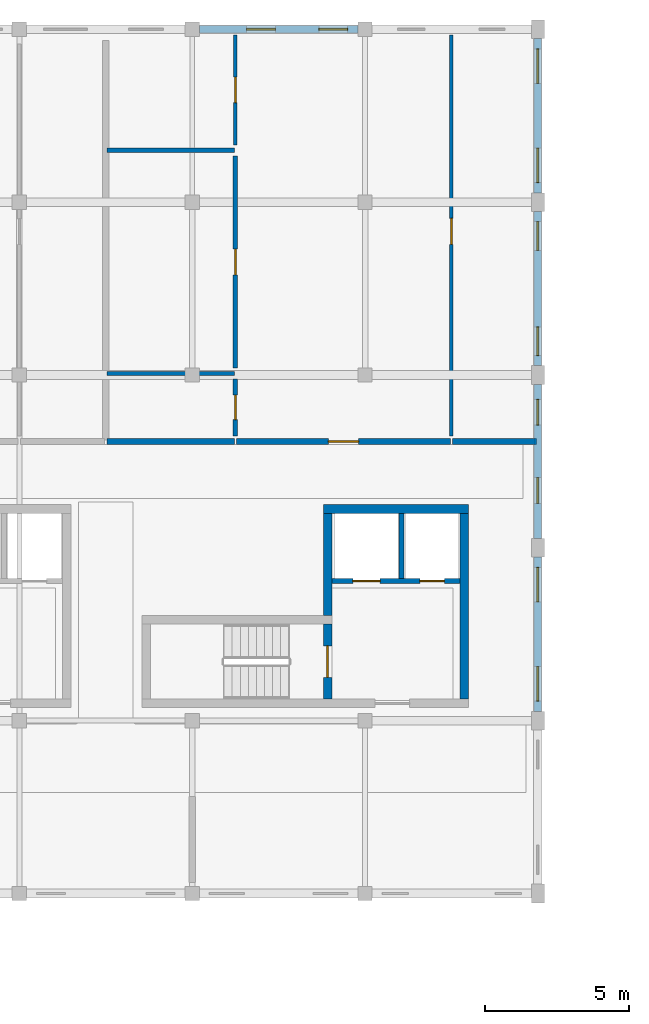
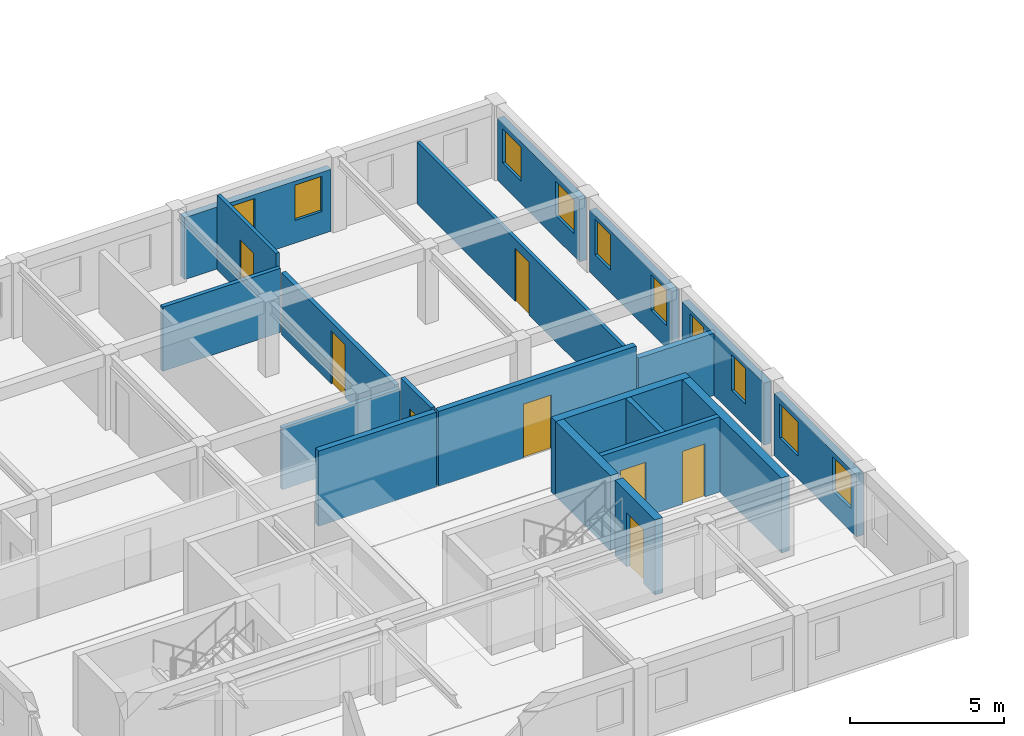
# One storey, part 15 of 23: 20 walls, 10 windows, 8 doors, 18 openings.
"""IFC4 building model written with IfcOpenShell, lengths in metres."""

from ifc_helpers import new_model, si_unit, direction, frame, frame_2d, origin, place, context, subcontext, project, spatial, rectangle, extrude, material, layer, layer_set, type_object, element, fill, save


model = new_model("IFC4")

# Units and contexts
model_context = context("Model", 3, precision=1e-05, world=origin(), true_north=direction((0.0, 1.0)))
body_context = subcontext(model_context, "Body", "Model", "MODEL_VIEW")
ifc_project = project(units=[si_unit("LENGTHUNIT", "METRE"), si_unit("AREAUNIT", "SQUARE_METRE"), si_unit("VOLUMEUNIT", "CUBIC_METRE"), si_unit("PLANEANGLEUNIT", "RADIAN"), si_unit("MASSUNIT", "GRAM", prefix="KILO"), si_unit("POWERUNIT", "WATT"), si_unit("THERMODYNAMICTEMPERATUREUNIT", "KELVIN")], contexts=[model_context])

# Site, building, storey
site_placement = place(None, origin())
site = spatial("IfcSite", under=ifc_project, at=site_placement, CompositionType="ELEMENT")
building_placement = place(site_placement, origin())
building = spatial("IfcBuilding", under=site, at=building_placement, Name="Ruvembo Vaulted Housing Court", CompositionType="ELEMENT")
storey_placement = place(building_placement, frame((0.0, 0.0, 26.89990234375)))
storey = spatial("IfcBuildingStorey", under=building, at=storey_placement, Name="L08", CompositionType="ELEMENT", Elevation=26.89990234375)

# Wall, opening, door
ifc_material_1 = material(Name="Concrete C35/45", Category="concrete")
ifc_layer_1 = layer(ifc_material_1, 0.300048828125, Name="Concrete C35/45")
ifc_layer_set_1 = layer_set([ifc_layer_1], Name="Concrete C35/45")
wall_type_1 = type_object("IfcWallType", Name="WL-CORE-300", PredefinedType="SHEAR", material=ifc_layer_set_1)
wall_1_placement = place(storey_placement, frame((70.699951171875, 90.75, 0.0), z_axis=(0.0, 0.0, 1.0), x_axis=(0.0, 1.0, 0.0)))
wall_1 = element("IfcWall", 1, at=wall_1_placement, inside=storey, type_object=wall_type_1, Name="Core B2 L08 Stair-Lobby Shear Wall", PredefinedType="SHEAR", context=body_context, shape_type="SweptSolid", body=[
    extrude(rectangle(XDim=2.60009765625, YDim=0.300048828125, at=frame_2d((1.300048828125, 0.0))), origin(), (0.0, 0.0, 1.0), 2.97998046875),
])
opening_1_placement = place(wall_1_placement, frame((0.75, 0.0, 0.0)))
opening_1 = element("IfcOpeningElement", 2, at=opening_1_placement, cuts=wall_1, Name="Opening SD2", PredefinedType="OPENING", context=body_context, shape_type="SweptSolid", body=[
    extrude(rectangle(XDim=1.10009765625, YDim=2.14990234375, at=frame_2d((0.550048828125, 1.074951171875))), frame((0.0, 0.159912109375, 0.0), z_axis=(0.0, -1.0, 0.0), x_axis=(1.0, 0.0, 0.0)), (0.0, 0.0, 1.0), 0.320068359375),
])
ifc_material_2 = material(Name="Galvanised Painted Steel", Category="steel")
door_type_1 = type_object("IfcDoorType", Name="DR-STAIR-1100x2150", OperationType="NOTDEFINED", PredefinedType="DOOR", material=ifc_material_2)
door_1_placement = place(opening_1_placement, origin())
door_1 = element("IfcDoor", 3, at=door_1_placement, inside=storey, type_object=door_type_1, Name="Stair ST-B2 L08 Fire Door", OperationType="SINGLE_SWING_RIGHT", OverallHeight=2.14990234375, OverallWidth=1.10009765625, PredefinedType="DOOR", context=body_context, shape_type="SweptSolid", body=[
    extrude(rectangle(XDim=1.10009765625, YDim=2.14990234375, at=frame_2d((0.550048828125, 1.074951171875))), frame((0.0, 0.02490234375, 0.0), z_axis=(0.0, -1.0, 0.0), x_axis=(1.0, 0.0, 0.0)), (0.0, 0.0, 1.0), 0.050048828125),
])
fill(opening_1, door_1)

# Walls
wall_2_placement = place(storey_placement, frame((75.60009765625, 97.35009765625, 0.0), z_axis=(0.0, 0.0, 1.0), x_axis=(-1.0, 0.0, 0.0)))
element("IfcWall", 4, at=wall_2_placement, inside=storey, type_object=wall_type_1, Name="Core B2 L08 North Shear Wall", PredefinedType="SHEAR", context=body_context, shape_type="SweptSolid", body=[
    extrude(rectangle(XDim=5.050048828125, YDim=0.300048828125, at=frame_2d((2.52490234375, 0.0))), origin(), (0.0, 0.0, 1.0), 2.97998046875),
])
wall_3_placement = place(storey_placement, frame((75.449951171875, 90.75, 0.0), z_axis=(0.0, 0.0, 1.0), x_axis=(0.0, 1.0, 0.0)))
element("IfcWall", 5, at=wall_3_placement, inside=storey, type_object=wall_type_1, Name="Core B2 L08 East Shear Wall", PredefinedType="SHEAR", context=body_context, shape_type="SweptSolid", body=[
    extrude(rectangle(XDim=6.449951171875, YDim=0.300048828125, at=frame_2d((3.22509765625, 0.0))), origin(), (0.0, 0.0, 1.0), 2.97998046875),
])
wall_4_placement = place(storey_placement, frame((70.699951171875, 93.64990234375, 0.0), z_axis=(0.0, 0.0, 1.0), x_axis=(0.0, 1.0, 0.0)))
element("IfcWall", 6, at=wall_4_placement, inside=storey, type_object=wall_type_1, Name="Core B2 L08 Upper West Shear Wall", PredefinedType="SHEAR", context=body_context, shape_type="SweptSolid", body=[
    extrude(rectangle(XDim=3.550048828125, YDim=0.300048828125, at=frame_2d((1.77490234375, 0.0))), origin(), (0.0, 0.0, 1.0), 2.97998046875),
])
ifc_material_3 = material(Name="Concrete Blockwork 210", Category="masonry")
ifc_layer_2 = layer(ifc_material_3, 0.2099609375, Name="Concrete Blockwork 210")
ifc_layer_set_2 = layer_set([ifc_layer_2], Name="Concrete Blockwork 210")
wall_type_2 = type_object("IfcWallType", Name="WL-CORR-210", PredefinedType="SOLIDWALL", material=ifc_layer_set_2)
wall_5_placement = place(storey_placement, frame((63.0400390625, 99.699951171875, 0.0), z_axis=(0.0, 0.0, 1.0), x_axis=(1.0, 0.0, 0.0)))
element("IfcWall", 7, at=wall_5_placement, inside=storey, type_object=wall_type_2, Name="L08 Flat B-L08-N2 Corridor Wall WL-INT-L08-02079", PredefinedType="SOLIDWALL", context=body_context, shape_type="SweptSolid", body=[
    extrude(rectangle(XDim=4.419921875, YDim=0.2099609375, at=frame_2d((2.2099609375, 0.0))), origin(), (0.0, 0.0, 1.0), 2.97998046875),
])

# Wall, opening, door
wall_6_placement = place(storey_placement, frame((67.5400390625, 99.699951171875, 0.0), z_axis=(0.0, 0.0, 1.0), x_axis=(1.0, 0.0, 0.0)))
wall_6 = element("IfcWall", 8, at=wall_6_placement, inside=storey, type_object=wall_type_2, Name="L08 Flat B-L08-N2 Entrance WL-INT-L08-02080", PredefinedType="SOLIDWALL", context=body_context, shape_type="SweptSolid", body=[
    extrude(rectangle(XDim=7.419921875, YDim=0.2099609375, at=frame_2d((3.7099609375, 0.0))), origin(), (0.0, 0.0, 1.0), 2.97998046875),
])
opening_2_placement = place(wall_6_placement, frame((3.18505859375, 0.0, 0.0)))
opening_2 = element("IfcOpeningElement", 9, at=opening_2_placement, cuts=wall_6, Name="Opening FD3", PredefinedType="OPENING", context=body_context, shape_type="SweptSolid", body=[
    extrude(rectangle(XDim=1.050048828125, YDim=2.14990234375, at=frame_2d((0.52490234375, 1.074951171875))), frame((0.0, 0.114990234375, 0.0), z_axis=(0.0, -1.0, 0.0), x_axis=(1.0, 0.0, 0.0)), (0.0, 0.0, 1.0), 0.22998046875),
])
ifc_material_4 = material(Name="FSC Hardwood and Engineered Timber", Category="wood")
door_type_2 = type_object("IfcDoorType", Name="DR-FLAT-1050x2150", OperationType="NOTDEFINED", PredefinedType="DOOR", material=ifc_material_4)
door_2_placement = place(opening_2_placement, origin())
door_2 = element("IfcDoor", 10, at=door_2_placement, inside=storey, type_object=door_type_2, Name="L08 Flat B-L08-N2 Entrance Door DR-INT-L08-01160", OperationType="SINGLE_SWING_RIGHT", OverallHeight=2.14990234375, OverallWidth=1.050048828125, PredefinedType="DOOR", context=body_context, shape_type="SweptSolid", body=[
    extrude(rectangle(XDim=1.050048828125, YDim=2.14990234375, at=frame_2d((0.52490234375, 1.074951171875))), frame((0.0, 0.02490234375, 0.0), z_axis=(0.0, -1.0, 0.0), x_axis=(1.0, 0.0, 0.0)), (0.0, 0.0, 1.0), 0.050048828125),
])
fill(opening_2, door_2)

# Wall
wall_7_placement = place(storey_placement, frame((75.0400390625, 99.699951171875, 0.0), z_axis=(0.0, 0.0, 1.0), x_axis=(1.0, 0.0, 0.0)))
element("IfcWall", 11, at=wall_7_placement, inside=storey, type_object=wall_type_2, Name="L08 Flat B-L08-N2 Corridor Wall 2 WL-INT-L08-02086", PredefinedType="SOLIDWALL", context=body_context, shape_type="SweptSolid", body=[
    extrude(rectangle(XDim=2.919921875, YDim=0.2099609375, at=frame_2d((1.4599609375, 0.0))), origin(), (0.0, 0.0, 1.0), 2.462158203125),
])

# Wall, openings, windows
ifc_material_5 = material(Name="Rendered Masonry 260", Category="masonry")
ifc_layer_3 = layer(ifc_material_5, 0.260009765625, Name="Rendered Masonry 260")
ifc_layer_set_3 = layer_set([ifc_layer_3], Name="Rendered Masonry 260")
wall_type_3 = type_object("IfcWallType", Name="WL-EXT-260", PredefinedType="STANDARD", material=ifc_layer_set_3)
wall_8_placement = place(storey_placement, frame((78.0, 90.324951171875, 0.0), z_axis=(0.0, 0.0, 1.0), x_axis=(0.0, 1.0, 0.0)))
wall_8 = element("IfcWall", 12, at=wall_8_placement, inside=storey, type_object=wall_type_3, Name="Block B L08 Exterior Wall EAST #2", PredefinedType="STANDARD", context=body_context, shape_type="SweptSolid", body=[
    extrude(rectangle(XDim=5.35009765625, YDim=0.260009765625, at=frame_2d((2.675048828125, 0.0))), origin(), (0.0, 0.0, 1.0), 2.462158203125),
])
opening_3_placement = place(wall_8_placement, frame((0.35009765625, 0.0, 0.89990234375)))
opening_3 = element("IfcOpeningElement", 13, at=opening_3_placement, cuts=wall_8, Name="Opening W12", PredefinedType="OPENING", context=body_context, shape_type="SweptSolid", body=[
    extrude(rectangle(XDim=1.199951171875, YDim=1.35009765625, at=frame_2d((0.60009765625, 0.675048828125))), frame((0.0, 0.139892578125, 0.0), z_axis=(0.0, -1.0, 0.0), x_axis=(1.0, 0.0, 0.0)), (0.0, 0.0, 1.0), 0.280029296875),
])
opening_4_placement = place(wall_8_placement, frame((3.800048828125, 0.0, 0.89990234375)))
opening_4 = element("IfcOpeningElement", 14, at=opening_4_placement, cuts=wall_8, Name="Opening W12", PredefinedType="OPENING", context=body_context, shape_type="SweptSolid", body=[
    extrude(rectangle(XDim=1.199951171875, YDim=1.35009765625, at=frame_2d((0.60009765625, 0.675048828125))), frame((0.0, 0.139892578125, 0.0), z_axis=(0.0, -1.0, 0.0), x_axis=(1.0, 0.0, 0.0)), (0.0, 0.0, 1.0), 0.280029296875),
])
ifc_material_6 = material(Name="Double Solar-Control Glazing in Aluminium Frame", Category="aluminium")
window_type_1 = type_object("IfcWindowType", Name="WIN-1200x1350", PartitioningType="SINGLE_PANEL", PredefinedType="WINDOW", material=ifc_material_6)
window_1_placement = place(opening_3_placement, origin())
window_1 = element("IfcWindow", 15, at=window_1_placement, inside=storey, type_object=window_type_1, Name="Block B L08 Window #958", OverallHeight=1.35009765625, OverallWidth=1.199951171875, PartitioningType="SINGLE_PANEL", PredefinedType="WINDOW", context=body_context, shape_type="SweptSolid", body=[
    extrude(rectangle(XDim=1.199951171875, YDim=1.35009765625, at=frame_2d((0.60009765625, 0.675048828125))), frame((0.0, 0.030029296875, 0.0), z_axis=(0.0, -1.0, 0.0), x_axis=(1.0, 0.0, 0.0)), (0.0, 0.0, 1.0), 0.06005859375),
])
fill(opening_3, window_1)
window_2_placement = place(opening_4_placement, origin())
window_2 = element("IfcWindow", 16, at=window_2_placement, inside=storey, type_object=window_type_1, Name="Block B L08 Window #959", OverallHeight=1.35009765625, OverallWidth=1.199951171875, PartitioningType="SINGLE_PANEL", PredefinedType="WINDOW", context=body_context, shape_type="SweptSolid", body=[
    extrude(rectangle(XDim=1.199951171875, YDim=1.35009765625, at=frame_2d((0.60009765625, 0.675048828125))), frame((0.0, 0.030029296875, 0.0), z_axis=(0.0, -1.0, 0.0), x_axis=(1.0, 0.0, 0.0)), (0.0, 0.0, 1.0), 0.06005859375),
])
fill(opening_4, window_2)

wall_9_placement = place(storey_placement, frame((78.0, 96.324951171875, 0.0), z_axis=(0.0, 0.0, 1.0), x_axis=(0.0, 1.0, 0.0)))
wall_9 = element("IfcWall", 17, at=wall_9_placement, inside=storey, type_object=wall_type_3, Name="Block B L08 Exterior Wall EAST #3", PredefinedType="STANDARD", context=body_context, shape_type="SweptSolid", body=[
    extrude(rectangle(XDim=5.35009765625, YDim=0.260009765625, at=frame_2d((2.675048828125, 0.0))), origin(), (0.0, 0.0, 1.0), 2.462158203125),
])
opening_5_placement = place(wall_9_placement, frame((1.217529296875, 0.0, 0.89990234375)))
opening_5 = element("IfcOpeningElement", 18, at=opening_5_placement, cuts=wall_9, Name="Opening W05", PredefinedType="OPENING", context=body_context, shape_type="SweptSolid", body=[
    extrude(rectangle(XDim=0.89990234375, YDim=1.39990234375, at=frame_2d((0.449951171875, 0.699951171875))), frame((0.0, 0.139892578125, 0.0), z_axis=(0.0, -1.0, 0.0), x_axis=(1.0, 0.0, 0.0)), (0.0, 0.0, 1.0), 0.280029296875),
])
opening_6_placement = place(wall_9_placement, frame((3.9326171875, 0.0, 0.89990234375)))
opening_6 = element("IfcOpeningElement", 19, at=opening_6_placement, cuts=wall_9, Name="Opening W05", PredefinedType="OPENING", context=body_context, shape_type="SweptSolid", body=[
    extrude(rectangle(XDim=0.89990234375, YDim=1.39990234375, at=frame_2d((0.449951171875, 0.699951171875))), frame((0.0, 0.139892578125, 0.0), z_axis=(0.0, -1.0, 0.0), x_axis=(1.0, 0.0, 0.0)), (0.0, 0.0, 1.0), 0.280029296875),
])
window_type_2 = type_object("IfcWindowType", Name="WIN-0900x1400", PartitioningType="SINGLE_PANEL", PredefinedType="WINDOW", material=ifc_material_6)
window_3_placement = place(opening_5_placement, origin())
window_3 = element("IfcWindow", 20, at=window_3_placement, inside=storey, type_object=window_type_2, Name="Block B L08 Window #960", OverallHeight=1.39990234375, OverallWidth=0.89990234375, PartitioningType="SINGLE_PANEL", PredefinedType="WINDOW", context=body_context, shape_type="SweptSolid", body=[
    extrude(rectangle(XDim=0.89990234375, YDim=1.39990234375, at=frame_2d((0.449951171875, 0.699951171875))), frame((0.0, 0.030029296875, 0.0), z_axis=(0.0, -1.0, 0.0), x_axis=(1.0, 0.0, 0.0)), (0.0, 0.0, 1.0), 0.06005859375),
])
fill(opening_5, window_3)
window_4_placement = place(opening_6_placement, origin())
window_4 = element("IfcWindow", 21, at=window_4_placement, inside=storey, type_object=window_type_2, Name="Block B L08 Window #961", OverallHeight=1.39990234375, OverallWidth=0.89990234375, PartitioningType="SINGLE_PANEL", PredefinedType="WINDOW", context=body_context, shape_type="SweptSolid", body=[
    extrude(rectangle(XDim=0.89990234375, YDim=1.39990234375, at=frame_2d((0.449951171875, 0.699951171875))), frame((0.0, 0.030029296875, 0.0), z_axis=(0.0, -1.0, 0.0), x_axis=(1.0, 0.0, 0.0)), (0.0, 0.0, 1.0), 0.06005859375),
])
fill(opening_6, window_4)

wall_10_placement = place(storey_placement, frame((78.0, 102.324951171875, 0.0), z_axis=(0.0, 0.0, 1.0), x_axis=(0.0, 1.0, 0.0)))
wall_10 = element("IfcWall", 22, at=wall_10_placement, inside=storey, type_object=wall_type_3, Name="Block B L08 Exterior Wall EAST #4", PredefinedType="STANDARD", context=body_context, shape_type="SweptSolid", body=[
    extrude(rectangle(XDim=5.35009765625, YDim=0.260009765625, at=frame_2d((2.675048828125, 0.0))), origin(), (0.0, 0.0, 1.0), 2.462158203125),
])
opening_7_placement = place(wall_10_placement, frame((0.35009765625, 0.0, 0.89990234375)))
opening_7 = element("IfcOpeningElement", 23, at=opening_7_placement, cuts=wall_10, Name="Opening W08", PredefinedType="OPENING", context=body_context, shape_type="SweptSolid", body=[
    extrude(rectangle(XDim=1.0, YDim=1.39990234375, at=frame_2d((0.5, 0.699951171875))), frame((0.0, 0.139892578125, 0.0), z_axis=(0.0, -1.0, 0.0), x_axis=(1.0, 0.0, 0.0)), (0.0, 0.0, 1.0), 0.280029296875),
])
opening_8_placement = place(wall_10_placement, frame((4.0, 0.0, 0.89990234375)))
opening_8 = element("IfcOpeningElement", 24, at=opening_8_placement, cuts=wall_10, Name="Opening W08", PredefinedType="OPENING", context=body_context, shape_type="SweptSolid", body=[
    extrude(rectangle(XDim=1.0, YDim=1.39990234375, at=frame_2d((0.5, 0.699951171875))), frame((0.0, 0.139892578125, 0.0), z_axis=(0.0, -1.0, 0.0), x_axis=(1.0, 0.0, 0.0)), (0.0, 0.0, 1.0), 0.280029296875),
])
window_type_3 = type_object("IfcWindowType", Name="WIN-1000x1400", PartitioningType="SINGLE_PANEL", PredefinedType="WINDOW", material=ifc_material_6)
window_5_placement = place(opening_7_placement, origin())
window_5 = element("IfcWindow", 25, at=window_5_placement, inside=storey, type_object=window_type_3, Name="Block B L08 Window #962", OverallHeight=1.39990234375, OverallWidth=1.0, PartitioningType="SINGLE_PANEL", PredefinedType="WINDOW", context=body_context, shape_type="SweptSolid", body=[
    extrude(rectangle(XDim=1.0, YDim=1.39990234375, at=frame_2d((0.5, 0.699951171875))), frame((0.0, 0.030029296875, 0.0), z_axis=(0.0, -1.0, 0.0), x_axis=(1.0, 0.0, 0.0)), (0.0, 0.0, 1.0), 0.06005859375),
])
fill(opening_7, window_5)
window_6_placement = place(opening_8_placement, origin())
window_6 = element("IfcWindow", 26, at=window_6_placement, inside=storey, type_object=window_type_3, Name="Block B L08 Window #963", OverallHeight=1.39990234375, OverallWidth=1.0, PartitioningType="SINGLE_PANEL", PredefinedType="WINDOW", context=body_context, shape_type="SweptSolid", body=[
    extrude(rectangle(XDim=1.0, YDim=1.39990234375, at=frame_2d((0.5, 0.699951171875))), frame((0.0, 0.030029296875, 0.0), z_axis=(0.0, -1.0, 0.0), x_axis=(1.0, 0.0, 0.0)), (0.0, 0.0, 1.0), 0.06005859375),
])
fill(opening_8, window_6)

wall_11_placement = place(storey_placement, frame((78.0, 108.324951171875, 0.0), z_axis=(0.0, 0.0, 1.0), x_axis=(0.0, 1.0, 0.0)))
wall_11 = element("IfcWall", 27, at=wall_11_placement, inside=storey, type_object=wall_type_3, Name="Block B L08 Exterior Wall EAST #5", PredefinedType="STANDARD", context=body_context, shape_type="SweptSolid", body=[
    extrude(rectangle(XDim=5.35009765625, YDim=0.260009765625, at=frame_2d((2.675048828125, 0.0))), origin(), (0.0, 0.0, 1.0), 2.462158203125),
])
opening_9_placement = place(wall_11_placement, frame((0.35009765625, 0.0, 0.89990234375)))
opening_9 = element("IfcOpeningElement", 28, at=opening_9_placement, cuts=wall_11, Name="Opening W12", PredefinedType="OPENING", context=body_context, shape_type="SweptSolid", body=[
    extrude(rectangle(XDim=1.199951171875, YDim=1.35009765625, at=frame_2d((0.60009765625, 0.675048828125))), frame((0.0, 0.139892578125, 0.0), z_axis=(0.0, -1.0, 0.0), x_axis=(1.0, 0.0, 0.0)), (0.0, 0.0, 1.0), 0.280029296875),
])
opening_10_placement = place(wall_11_placement, frame((3.800048828125, 0.0, 0.89990234375)))
opening_10 = element("IfcOpeningElement", 29, at=opening_10_placement, cuts=wall_11, Name="Opening W12", PredefinedType="OPENING", context=body_context, shape_type="SweptSolid", body=[
    extrude(rectangle(XDim=1.199951171875, YDim=1.35009765625, at=frame_2d((0.60009765625, 0.675048828125))), frame((0.0, 0.139892578125, 0.0), z_axis=(0.0, -1.0, 0.0), x_axis=(1.0, 0.0, 0.0)), (0.0, 0.0, 1.0), 0.280029296875),
])
window_7_placement = place(opening_9_placement, origin())
window_7 = element("IfcWindow", 30, at=window_7_placement, inside=storey, type_object=window_type_1, Name="Block B L08 Window #964", OverallHeight=1.35009765625, OverallWidth=1.199951171875, PartitioningType="SINGLE_PANEL", PredefinedType="WINDOW", context=body_context, shape_type="SweptSolid", body=[
    extrude(rectangle(XDim=1.199951171875, YDim=1.35009765625, at=frame_2d((0.60009765625, 0.675048828125))), frame((0.0, 0.030029296875, 0.0), z_axis=(0.0, -1.0, 0.0), x_axis=(1.0, 0.0, 0.0)), (0.0, 0.0, 1.0), 0.06005859375),
])
fill(opening_9, window_7)
window_8_placement = place(opening_10_placement, origin())
window_8 = element("IfcWindow", 31, at=window_8_placement, inside=storey, type_object=window_type_1, Name="Block B L08 Window #965", OverallHeight=1.35009765625, OverallWidth=1.199951171875, PartitioningType="SINGLE_PANEL", PredefinedType="WINDOW", context=body_context, shape_type="SweptSolid", body=[
    extrude(rectangle(XDim=1.199951171875, YDim=1.35009765625, at=frame_2d((0.60009765625, 0.675048828125))), frame((0.0, 0.030029296875, 0.0), z_axis=(0.0, -1.0, 0.0), x_axis=(1.0, 0.0, 0.0)), (0.0, 0.0, 1.0), 0.06005859375),
])
fill(opening_10, window_8)

wall_12_placement = place(storey_placement, frame((71.75, 114.0, 0.0), z_axis=(0.0, 0.0, 1.0), x_axis=(-1.0, 0.0, 0.0)))
wall_12 = element("IfcWall", 32, at=wall_12_placement, inside=storey, type_object=wall_type_3, Name="Block B L08 Exterior Wall STREET #2", PredefinedType="STANDARD", context=body_context, shape_type="SweptSolid", body=[
    extrude(rectangle(XDim=5.5, YDim=0.260009765625, at=frame_2d((2.75, 0.0))), origin(), (0.0, 0.0, 1.0), 2.462158203125),
])
opening_11_placement = place(wall_12_placement, frame((0.35009765625, 0.0, 0.89990234375)))
opening_11 = element("IfcOpeningElement", 33, at=opening_11_placement, cuts=wall_12, Name="Opening W08", PredefinedType="OPENING", context=body_context, shape_type="SweptSolid", body=[
    extrude(rectangle(XDim=1.0, YDim=1.39990234375, at=frame_2d((0.5, 0.699951171875))), frame((0.0, 0.139892578125, 0.0), z_axis=(0.0, -1.0, 0.0), x_axis=(1.0, 0.0, 0.0)), (0.0, 0.0, 1.0), 0.280029296875),
])
opening_12_placement = place(wall_12_placement, frame((2.860107421875, 0.0, 0.89990234375)))
opening_12 = element("IfcOpeningElement", 34, at=opening_12_placement, cuts=wall_12, Name="Opening W08", PredefinedType="OPENING", context=body_context, shape_type="SweptSolid", body=[
    extrude(rectangle(XDim=1.0, YDim=1.39990234375, at=frame_2d((0.5, 0.699951171875))), frame((0.0, 0.139892578125, 0.0), z_axis=(0.0, -1.0, 0.0), x_axis=(1.0, 0.0, 0.0)), (0.0, 0.0, 1.0), 0.280029296875),
])
window_9_placement = place(opening_11_placement, origin())
window_9 = element("IfcWindow", 35, at=window_9_placement, inside=storey, type_object=window_type_3, Name="Block B L08 Window #968", OverallHeight=1.39990234375, OverallWidth=1.0, PartitioningType="SINGLE_PANEL", PredefinedType="WINDOW", context=body_context, shape_type="SweptSolid", body=[
    extrude(rectangle(XDim=1.0, YDim=1.39990234375, at=frame_2d((0.5, 0.699951171875))), frame((0.0, 0.030029296875, 0.0), z_axis=(0.0, -1.0, 0.0), x_axis=(1.0, 0.0, 0.0)), (0.0, 0.0, 1.0), 0.06005859375),
])
fill(opening_11, window_9)
window_10_placement = place(opening_12_placement, origin())
window_10 = element("IfcWindow", 36, at=window_10_placement, inside=storey, type_object=window_type_3, Name="Block B L08 Window #969", OverallHeight=1.39990234375, OverallWidth=1.0, PartitioningType="SINGLE_PANEL", PredefinedType="WINDOW", context=body_context, shape_type="SweptSolid", body=[
    extrude(rectangle(XDim=1.0, YDim=1.39990234375, at=frame_2d((0.5, 0.699951171875))), frame((0.0, 0.030029296875, 0.0), z_axis=(0.0, -1.0, 0.0), x_axis=(1.0, 0.0, 0.0)), (0.0, 0.0, 1.0), 0.06005859375),
])
fill(opening_12, window_10)

# Wall, opening, door
ifc_material_7 = material(Name="Plasterboard Stud Partition 125", Category="gypsum")
ifc_layer_4 = layer(ifc_material_7, 0.125, Name="Plasterboard Stud Partition 125")
ifc_layer_set_4 = layer_set([ifc_layer_4], Name="Plasterboard Stud Partition 125")
wall_type_4 = type_object("IfcWallType", Name="WL-PART-125", PredefinedType="PARTITIONING", material=ifc_layer_set_4)
wall_13_placement = place(storey_placement, frame((67.5, 109.989990234375, 0.0), z_axis=(0.0, 0.0, 1.0), x_axis=(0.0, 1.0, 0.0)))
wall_13 = element("IfcWall", 37, at=wall_13_placement, inside=storey, type_object=wall_type_4, Name="L08 Flat B-L08-N2 Bedroom 1 WL-INT-L08-02081", PredefinedType="PARTITIONING", context=body_context, shape_type="SweptSolid", body=[
    extrude(rectangle(XDim=3.820068359375, YDim=0.125, at=frame_2d((1.91015625, 0.0))), origin(), (0.0, 0.0, 1.0), 2.97998046875),
])
opening_13_placement = place(wall_13_placement, frame((1.469970703125, 0.0, 0.0)))
opening_13 = element("IfcOpeningElement", 38, at=opening_13_placement, cuts=wall_13, Name="Opening ID3", PredefinedType="OPENING", context=body_context, shape_type="SweptSolid", body=[
    extrude(rectangle(XDim=0.8798828125, YDim=2.10009765625, at=frame_2d((0.43994140625, 1.050048828125))), frame((0.0, 0.072509765625, 0.0), z_axis=(0.0, -1.0, 0.0), x_axis=(1.0, 0.0, 0.0)), (0.0, 0.0, 1.0), 0.14501953125),
])
door_type_3 = type_object("IfcDoorType", Name="DR-ROOM-0880x2100", OperationType="NOTDEFINED", PredefinedType="DOOR", material=ifc_material_4)
door_3_placement = place(opening_13_placement, origin())
door_3 = element("IfcDoor", 39, at=door_3_placement, inside=storey, type_object=door_type_3, Name="L08 Flat B-L08-N2 Bedroom 1 Door DR-INT-L08-01161", OperationType="SINGLE_SWING_LEFT", OverallHeight=2.10009765625, OverallWidth=0.8798828125, PredefinedType="DOOR", context=body_context, shape_type="SweptSolid", body=[
    extrude(rectangle(XDim=0.8798828125, YDim=2.10009765625, at=frame_2d((0.43994140625, 1.050048828125))), frame((0.0, 0.02490234375, 0.0), z_axis=(0.0, -1.0, 0.0), x_axis=(1.0, 0.0, 0.0)), (0.0, 0.0, 1.0), 0.050048828125),
])
fill(opening_13, door_3)

wall_14_placement = place(storey_placement, frame((75.0, 99.889892578125, 0.0), z_axis=(0.0, 0.0, 1.0), x_axis=(0.0, 1.0, 0.0)))
wall_14 = element("IfcWall", 40, at=wall_14_placement, inside=storey, type_object=wall_type_4, Name="L08 Flat B-L08-N2 Bedroom 2 WL-INT-L08-02087", PredefinedType="PARTITIONING", context=body_context, shape_type="SweptSolid", body=[
    extrude(rectangle(XDim=13.920166015625, YDim=0.125, at=frame_2d((6.9599609375, 0.0))), origin(), (0.0, 0.0, 1.0), 2.462158203125),
])
opening_14_placement = place(wall_14_placement, frame((6.64990234375, 0.0, 0.0)))
opening_14 = element("IfcOpeningElement", 41, at=opening_14_placement, cuts=wall_14, Name="Opening ID1", PredefinedType="OPENING", context=body_context, shape_type="SweptSolid", body=[
    extrude(rectangle(XDim=0.89990234375, YDim=2.10009765625, at=frame_2d((0.449951171875, 1.050048828125))), frame((0.0, 0.072509765625, 0.0), z_axis=(0.0, -1.0, 0.0), x_axis=(1.0, 0.0, 0.0)), (0.0, 0.0, 1.0), 0.14501953125),
])
door_type_4 = type_object("IfcDoorType", Name="DR-ROOM-0900x2100", OperationType="NOTDEFINED", PredefinedType="DOOR", material=ifc_material_4)
door_4_placement = place(opening_14_placement, origin())
door_4 = element("IfcDoor", 42, at=door_4_placement, inside=storey, type_object=door_type_4, Name="L08 Flat B-L08-N2 Bedroom 2 Door DR-INT-L08-01164", OperationType="SINGLE_SWING_RIGHT", OverallHeight=2.10009765625, OverallWidth=0.89990234375, PredefinedType="DOOR", context=body_context, shape_type="SweptSolid", body=[
    extrude(rectangle(XDim=0.89990234375, YDim=2.10009765625, at=frame_2d((0.449951171875, 1.050048828125))), frame((0.0, 0.02490234375, 0.0), z_axis=(0.0, -1.0, 0.0), x_axis=(1.0, 0.0, 0.0)), (0.0, 0.0, 1.0), 0.050048828125),
])
fill(opening_14, door_4)

ifc_material_8 = material(Name="Moisture-Resistant Wet Partition 150", Category="gypsum")
ifc_layer_5 = layer(ifc_material_8, 0.14990234375, Name="Moisture-Resistant Wet Partition 150")
ifc_layer_set_5 = layer_set([ifc_layer_5], Name="Moisture-Resistant Wet Partition 150")
wall_type_5 = type_object("IfcWallType", Name="WL-PART-150", PredefinedType="PARTITIONING", material=ifc_layer_set_5)
wall_15_placement = place(storey_placement, frame((67.5, 99.889892578125, 0.0), z_axis=(0.0, 0.0, 1.0), x_axis=(0.0, 1.0, 0.0)))
wall_15 = element("IfcWall", 43, at=wall_15_placement, inside=storey, type_object=wall_type_5, Name="L08 Flat B-L08-N2 Bathroom WL-INT-L08-02083", PredefinedType="PARTITIONING", context=body_context, shape_type="SweptSolid", body=[
    extrude(rectangle(XDim=1.97021484375, YDim=0.14990234375, at=frame_2d((0.985107421875, 0.0))), origin(), (0.0, 0.0, 1.0), 2.97998046875),
])
opening_15_placement = place(wall_15_placement, frame((0.56005859375, 0.0, 0.0)))
opening_15 = element("IfcOpeningElement", 44, at=opening_15_placement, cuts=wall_15, Name="Opening ID2", PredefinedType="OPENING", context=body_context, shape_type="SweptSolid", body=[
    extrude(rectangle(XDim=0.85009765625, YDim=2.10009765625, at=frame_2d((0.425048828125, 1.050048828125))), frame((0.0, 0.0849609375, 0.0), z_axis=(0.0, -1.0, 0.0), x_axis=(1.0, 0.0, 0.0)), (0.0, 0.0, 1.0), 0.169921875),
])
door_type_5 = type_object("IfcDoorType", Name="DR-WET-0850x2100", OperationType="NOTDEFINED", PredefinedType="DOOR", material=ifc_material_4)
door_5_placement = place(opening_15_placement, origin())
door_5 = element("IfcDoor", 45, at=door_5_placement, inside=storey, type_object=door_type_5, Name="L08 Flat B-L08-N2 Bathroom Door DR-INT-L08-01163", OperationType="SINGLE_SWING_LEFT", OverallHeight=2.10009765625, OverallWidth=0.85009765625, PredefinedType="DOOR", context=body_context, shape_type="SweptSolid", body=[
    extrude(rectangle(XDim=0.85009765625, YDim=2.10009765625, at=frame_2d((0.425048828125, 1.050048828125))), frame((0.0, 0.02490234375, 0.0), z_axis=(0.0, -1.0, 0.0), x_axis=(1.0, 0.0, 0.0)), (0.0, 0.0, 1.0), 0.050048828125),
])
fill(opening_15, door_5)

# Walls
wall_16_placement = place(storey_placement, frame((63.0400390625, 109.800048828125, 0.0), z_axis=(0.0, 0.0, 1.0), x_axis=(1.0, 0.0, 0.0)))
element("IfcWall", 46, at=wall_16_placement, inside=storey, type_object=wall_type_5, Name="L08 Flat B-L08-N2 Wet Wall 1 WL-INT-L08-02084", PredefinedType="PARTITIONING", context=body_context, shape_type="SweptSolid", body=[
    extrude(rectangle(XDim=4.419921875, YDim=0.14990234375, at=frame_2d((2.2099609375, 0.0))), origin(), (0.0, 0.0, 1.0), 2.548095703125),
])
wall_17_placement = place(storey_placement, frame((63.0400390625, 102.050048828125, 0.0), z_axis=(0.0, 0.0, 1.0), x_axis=(1.0, 0.0, 0.0)))
element("IfcWall", 47, at=wall_17_placement, inside=storey, type_object=wall_type_5, Name="L08 Flat B-L08-N2 Wet Wall 2 WL-INT-L08-02085", PredefinedType="PARTITIONING", context=body_context, shape_type="SweptSolid", body=[
    extrude(rectangle(XDim=4.419921875, YDim=0.14990234375, at=frame_2d((2.2099609375, 0.0))), origin(), (0.0, 0.0, 1.0), 2.462158203125),
])

# Wall, opening, door
ifc_material_9 = material(Name="Acoustic Service Chase Wall 160", Category="gypsum")
ifc_layer_6 = layer(ifc_material_9, 0.159912109375, Name="Acoustic Service Chase Wall 160")
ifc_layer_set_6 = layer_set([ifc_layer_6], Name="Acoustic Service Chase Wall 160")
wall_type_6 = type_object("IfcWallType", Name="WL-PLUMB-160", PredefinedType="PLUMBINGWALL", material=ifc_layer_set_6)
wall_18_placement = place(storey_placement, frame((67.5, 102.239990234375, 0.0), z_axis=(0.0, 0.0, 1.0), x_axis=(0.0, 1.0, 0.0)))
wall_18 = element("IfcWall", 48, at=wall_18_placement, inside=storey, type_object=wall_type_6, Name="L08 Flat B-L08-N2 Kitchen WL-INT-L08-02082", PredefinedType="PLUMBINGWALL", context=body_context, shape_type="SweptSolid", body=[
    extrude(rectangle(XDim=7.3701171875, YDim=0.159912109375, at=frame_2d((3.68505859375, 0.0))), origin(), (0.0, 0.0, 1.0), 2.462158203125),
])
opening_16_placement = place(wall_18_placement, frame((3.235107421875, 0.0, 0.0)))
opening_16 = element("IfcOpeningElement", 49, at=opening_16_placement, cuts=wall_18, Name="Opening ID1", PredefinedType="OPENING", context=body_context, shape_type="SweptSolid", body=[
    extrude(rectangle(XDim=0.89990234375, YDim=2.10009765625, at=frame_2d((0.449951171875, 1.050048828125))), frame((0.0, 0.08984375, 0.0), z_axis=(0.0, -1.0, 0.0), x_axis=(1.0, 0.0, 0.0)), (0.0, 0.0, 1.0), 0.179931640625),
])
door_6_placement = place(opening_16_placement, origin())
door_6 = element("IfcDoor", 50, at=door_6_placement, inside=storey, type_object=door_type_4, Name="L08 Flat B-L08-N2 Kitchen Door DR-INT-L08-01162", OperationType="SINGLE_SWING_RIGHT", OverallHeight=2.10009765625, OverallWidth=0.89990234375, PredefinedType="DOOR", context=body_context, shape_type="SweptSolid", body=[
    extrude(rectangle(XDim=0.89990234375, YDim=2.10009765625, at=frame_2d((0.449951171875, 1.050048828125))), frame((0.0, 0.02490234375, 0.0), z_axis=(0.0, -1.0, 0.0), x_axis=(1.0, 0.0, 0.0)), (0.0, 0.0, 1.0), 0.050048828125),
])
fill(opening_16, door_6)

# Wall, openings, doors
ifc_material_10 = material(Name="Fire-Rated Masonry Shaft 180", Category="masonry")
ifc_layer_7 = layer(ifc_material_10, 0.179931640625, Name="Fire-Rated Masonry Shaft 180")
ifc_layer_set_7 = layer_set([ifc_layer_7], Name="Fire-Rated Masonry Shaft 180")
wall_type_7 = type_object("IfcWallType", Name="WL-SHAFT-180", PredefinedType="SOLIDWALL", material=ifc_layer_set_7)
wall_19_placement = place(storey_placement, frame((70.85009765625, 94.85009765625, 0.0), z_axis=(0.0, 0.0, 1.0), x_axis=(1.0, 0.0, 0.0)))
wall_19 = element("IfcWall", 51, at=wall_19_placement, inside=storey, type_object=wall_type_7, Name="Core B2 L08 Lift and Riser Front Wall", PredefinedType="SOLIDWALL", context=body_context, shape_type="SweptSolid", body=[
    extrude(rectangle(XDim=4.449951171875, YDim=0.179931640625, at=frame_2d((2.22509765625, 0.0))), origin(), (0.0, 0.0, 1.0), 2.97998046875),
])
opening_17_placement = place(wall_19_placement, frame((0.72509765625, 0.0, 0.0)))
opening_17 = element("IfcOpeningElement", 52, at=opening_17_placement, cuts=wall_19, Name="Opening LD-LP-B2-L08", PredefinedType="OPENING", context=body_context, shape_type="SweptSolid", body=[
    extrude(rectangle(XDim=0.949951171875, YDim=2.14990234375, at=frame_2d((0.47509765625, 1.074951171875))), frame((0.0, 0.099853515625, 0.0), z_axis=(0.0, -1.0, 0.0), x_axis=(1.0, 0.0, 0.0)), (0.0, 0.0, 1.0), 0.199951171875),
])
opening_18_placement = place(wall_19_placement, frame((3.050048828125, 0.0, 0.0)))
opening_18 = element("IfcOpeningElement", 53, at=opening_18_placement, cuts=wall_19, Name="Opening RD1", PredefinedType="OPENING", context=body_context, shape_type="SweptSolid", body=[
    extrude(rectangle(XDim=0.85009765625, YDim=2.10009765625, at=frame_2d((0.425048828125, 1.050048828125))), frame((0.0, 0.099853515625, 0.0), z_axis=(0.0, -1.0, 0.0), x_axis=(1.0, 0.0, 0.0)), (0.0, 0.0, 1.0), 0.199951171875),
])
ifc_material_11 = material(Name="Brushed Stainless Steel 304", Category="steel")
door_type_6 = type_object("IfcDoorType", Name="DR-LIFT-0950x2150", OperationType="NOTDEFINED", PredefinedType="DOOR", material=ifc_material_11)
door_7_placement = place(opening_17_placement, origin())
door_7 = element("IfcDoor", 54, at=door_7_placement, inside=storey, type_object=door_type_6, Name="Lift LP-B2 L08 Sliding Landing Door", OperationType="SLIDING_TO_LEFT", OverallHeight=2.14990234375, OverallWidth=0.949951171875, PredefinedType="DOOR", context=body_context, shape_type="SweptSolid", body=[
    extrude(rectangle(XDim=0.949951171875, YDim=2.14990234375, at=frame_2d((0.47509765625, 1.074951171875))), frame((0.0, 0.02490234375, 0.0), z_axis=(0.0, -1.0, 0.0), x_axis=(1.0, 0.0, 0.0)), (0.0, 0.0, 1.0), 0.050048828125),
])
fill(opening_17, door_7)
door_type_7 = type_object("IfcDoorType", Name="DR-RISER-0850x2100", OperationType="NOTDEFINED", PredefinedType="DOOR", material=ifc_material_2)
door_8_placement = place(opening_18_placement, frame((0.85009765625, 0.0, 0.0), z_axis=(0.0, 0.0, 1.0), x_axis=(-1.0, 0.0, 0.0)))
door_8 = element("IfcDoor", 55, at=door_8_placement, inside=storey, type_object=door_type_7, Name="Core B2 L08 Service Riser Door", OperationType="SINGLE_SWING_LEFT", OverallHeight=2.10009765625, OverallWidth=0.85009765625, PredefinedType="DOOR", context=body_context, shape_type="SweptSolid", body=[
    extrude(rectangle(XDim=0.85009765625, YDim=2.10009765625, at=frame_2d((0.425048828125, 1.050048828125))), frame((0.0, 0.02490234375, 0.0), z_axis=(0.0, -1.0, 0.0), x_axis=(1.0, 0.0, 0.0)), (0.0, 0.0, 1.0), 0.050048828125),
])
fill(opening_18, door_8)

# Wall
wall_20_placement = place(storey_placement, frame((73.27001953125, 94.93994140625, 0.0), z_axis=(0.0, 0.0, 1.0), x_axis=(0.0, 1.0, 0.0)))
element("IfcWall", 56, at=wall_20_placement, inside=storey, type_object=wall_type_7, Name="Core B2 L08 Shaft-Riser Divider Wall", PredefinedType="SOLIDWALL", context=body_context, shape_type="SweptSolid", body=[
    extrude(rectangle(XDim=2.260009765625, YDim=0.179931640625, at=frame_2d((1.1298828125, 0.0))), origin(), (0.0, 0.0, 1.0), 2.97998046875),
])

save(model, "model.ifc")
